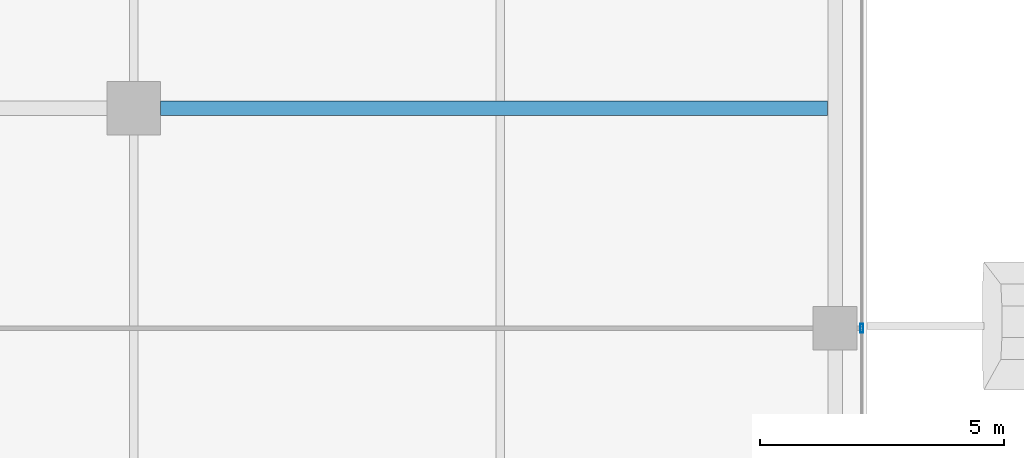
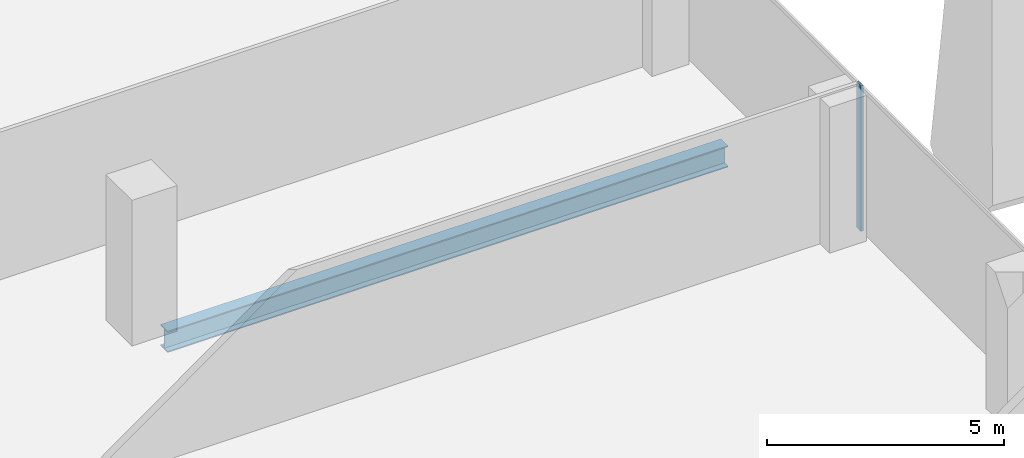
# One storey, part 12 of 35: 1 beam, 1 member, 1 element without a shape of its own.
"""IFC4 building model written with IfcOpenShell, lengths in metres."""

from ifc_helpers import new_model, si_unit, direction, frame, origin, origin_2d, place, context, subcontext, project, spatial, hollow_rectangle, i_section, extrude, source, transform, mapped, material, material_profile, profile_set, type_object, element, aggregate, save


model = new_model("IFC4")

# Units and contexts
model_context = context("Model", 3, precision=1e-05, world=origin(), true_north=direction((0.0, 1.0)))
body_context = subcontext(model_context, "Body", "Model", "MODEL_VIEW")
ifc_project = project(units=[si_unit("LENGTHUNIT", "METRE"), si_unit("AREAUNIT", "SQUARE_METRE"), si_unit("VOLUMEUNIT", "CUBIC_METRE"), si_unit("PLANEANGLEUNIT", "RADIAN"), si_unit("MASSUNIT", "GRAM", prefix="KILO")], contexts=[model_context])

# Site, building, storey
site_placement = place(None, origin())
site = spatial("IfcSite", under=ifc_project, at=site_placement, CompositionType="ELEMENT")
building_placement = place(site_placement, origin())
building = spatial("IfcBuilding", under=site, at=building_placement, Name="Khomas Fold Tower", CompositionType="ELEMENT")
storey_placement = place(building_placement, frame((0.0, 0.0, 250.199951171875)))
storey = spatial("IfcBuildingStorey", under=building, at=storey_placement, Name="L56", CompositionType="ELEMENT", Elevation=250.199951171875)

# Beam
ifc_material_1 = material(Name="Steel S355", Category="steel")
ifc_material_profile_1 = material_profile(ifc_material_1, i_section(OverallWidth=0.300048828125, OverallDepth=0.550048828125, WebThickness=0.014892578125, FlangeThickness=0.029052734375, at=origin_2d()), Name="HE 550 B")
ifc_profile_set_1 = profile_set([ifc_material_profile_1], Name="Steel S355")
beam_type = type_object("IfcBeamType", Name="HE 550 B beam GB4", PredefinedType="BEAM", material=ifc_profile_set_1)
shared_shape_1 = source(origin(), body_context, "Body", "SweptSolid", [
    extrude(i_section(OverallWidth=0.300048828125, OverallDepth=0.550048828125, WebThickness=0.014892578125, FlangeThickness=0.029052734375, at=origin_2d()), origin(), (0.0, 0.0, 1.0), 13.64990234375),
])
beam_placement = place(storey_placement, frame((35.050048828125, 31.5, -0.52490234375), z_axis=(1.0, 0.0, 0.0), x_axis=(0.0, 1.0, 0.0)))
element("IfcBeam", 1, at=beam_placement, inside=storey, type_object=beam_type, Name="GB4", PredefinedType="BEAM", context=body_context, shape_type="MappedRepresentation", body=[
    mapped(shared_shape_1, transform((0.0, 0.0, 0.0))),
])

# Curtain wall, member
ifc_material_2 = material(Name="Aluminium framed double glazing", Category="aluminium")
curtain_wall_type = type_object("IfcCurtainWallType", Name="SK-Unitised clear-glass wall, office floors CW2", PredefinedType="NOTDEFINED", material=ifc_material_2)
curtain_wall_placement = place(storey_placement, origin())
curtain_wall = element("IfcCurtainWall", 2, at=curtain_wall_placement, inside=storey, type_object=curtain_wall_type, Name="CW2 run L56 03-0", PredefinedType="NOTDEFINED")
ifc_material_3 = material(Name="Aluminium", Category="aluminium")
ifc_material_profile_2 = material_profile(ifc_material_3, hollow_rectangle(XDim=0.06005859375, YDim=0.179931640625, WallThickness=0.00390625, at=origin_2d()), Name="SK-Unitised clear-glass wall, office floors mullion CW2-M")
ifc_profile_set_2 = profile_set([ifc_material_profile_2], Name="Aluminium")
member_type = type_object("IfcMemberType", Name="SK-Unitised clear-glass wall, office floors mullion CW2-M", PredefinedType="MULLION", material=ifc_profile_set_2)
shared_shape_2 = source(origin(), body_context, "Body", "SweptSolid", [
    extrude(hollow_rectangle(XDim=0.06005859375, YDim=0.179931640625, WallThickness=0.00390625, at=origin_2d()), origin(), (0.0, 0.0, 1.0), 3.75),
])
member_placement = place(storey_placement, frame((49.39990234375, 27.0, 0.0), z_axis=(0.0, 0.0, 1.0), x_axis=(-1.0, 0.0, 0.0)))
member = element("IfcMember", 3, at=member_placement, type_object=member_type, Name="CW2 mullion 4", PredefinedType="MULLION", context=body_context, shape_type="MappedRepresentation", body=[
    mapped(shared_shape_2, transform((0.0, 0.0, 0.0))),
])
aggregate(curtain_wall, [member])

save(model, "model.ifc")
